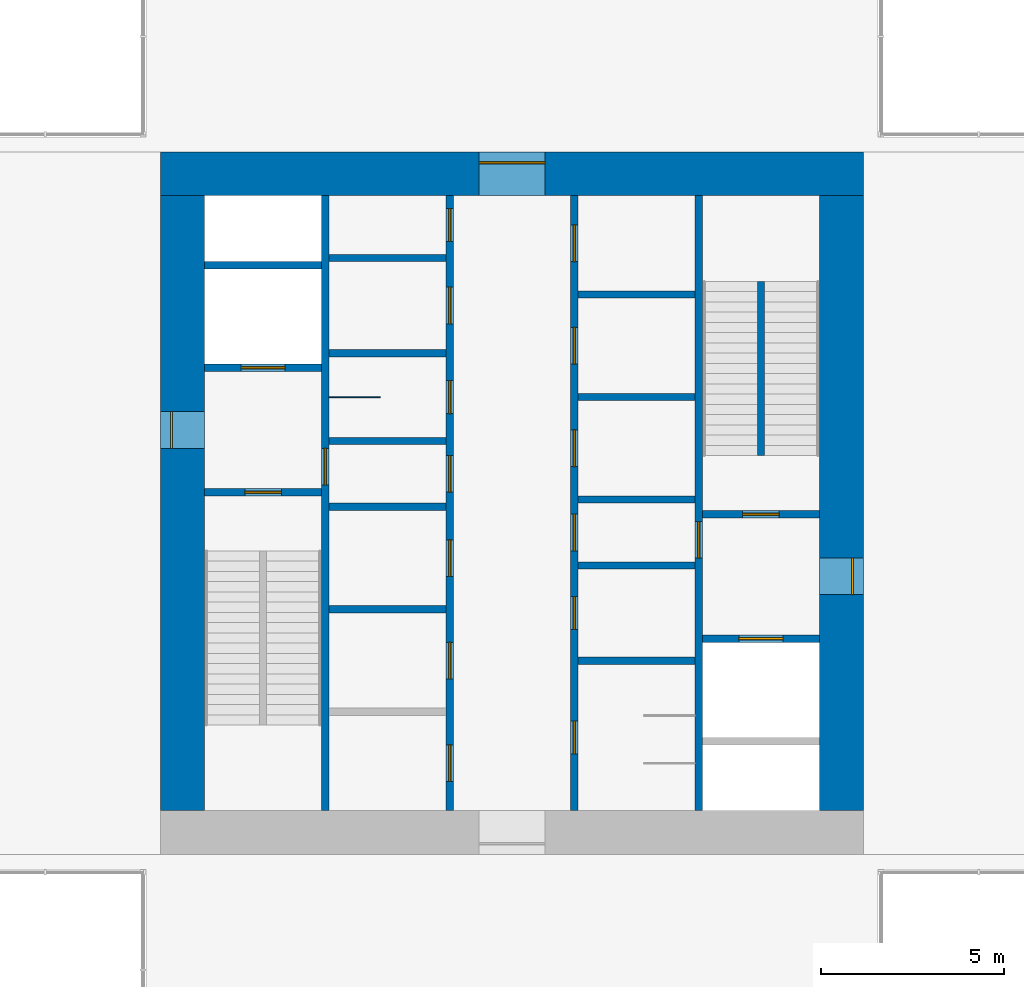
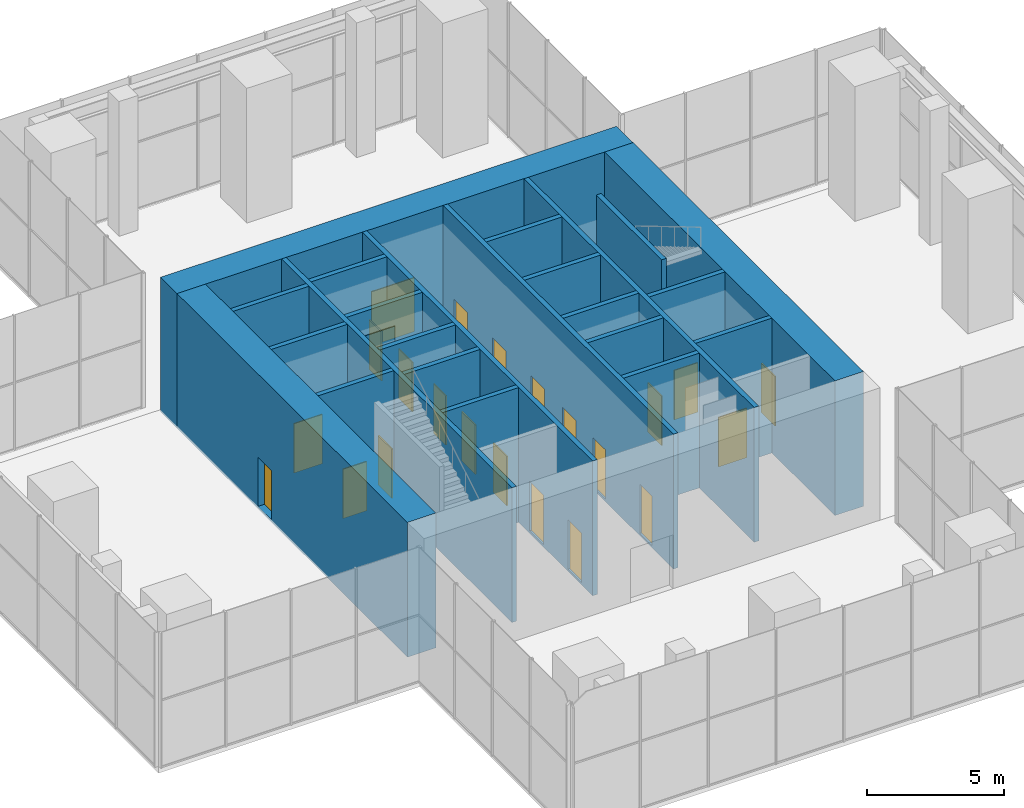
# One storey, part 9 of 11: 24 walls, 22 doors, 22 openings.
"""IFC4 building model written with IfcOpenShell, lengths in metres."""

import ifcopenshell
import ifcopenshell.guid

model = None  # the IFC model being written
_history = None  # IfcOwnerHistory: only IFC2X3 demands one
_inside = {}  # id of a spatial element -> (the spatial element, [elements in it])
_under = {}  # id of a project, library or spatial element -> (it, [spatial elements below it])
_declared = {}  # id of a project -> (the project, [libraries it declares])
_typed = {}  # id of a type object -> (the type object, [elements of that type])
_made_of = {}  # id of a material, layer set ... -> (it, [elements and type objects made of it])


def new_model(schema):
    """Start an empty IFC model of exactly this schema.

    Asked for "IFC4X3", IfcOpenShell would pick the latest addendum, in which some entities
    have other attributes; the version numbers below select the first issue.
    IFC2X3 requires an IfcOwnerHistory on every rooted entity: one is made here for all.
    """
    global model, _history
    if schema == "IFC4X3":
        model = ifcopenshell.file(schema_version=(4, 3, 0, 0))
    else:
        model = ifcopenshell.file(schema=schema)
    _inside.clear()
    _under.clear()
    _declared.clear()
    _typed.clear()
    _made_of.clear()
    _history = None
    if model.schema == "IFC2X3":
        org = make("IfcOrganization", Name="unknown")
        user = make(
            "IfcPersonAndOrganization",
            ThePerson=make("IfcPerson", FamilyName="unknown"),
            TheOrganization=org,
        )
        app = make(
            "IfcApplication",
            ApplicationDeveloper=org,
            Version="unknown",
            ApplicationFullName="unknown",
            ApplicationIdentifier="unknown",
        )
        _history = make(
            "IfcOwnerHistory",
            OwningUser=user,
            OwningApplication=app,
            ChangeAction="ADDED",
            CreationDate=0,
        )
    return model


def make(cls, **values):
    """One entity of the class cls with the attributes given. An attribute that is None is left unset."""
    return model.create_entity(
        cls, **{name: value for name, value in values.items() if value is not None}
    )


def rooted(cls, **values):
    """An entity with a GlobalId (a new one), such as an element, a storey or a relation."""
    return make(cls, GlobalId=ifcopenshell.guid.new(), OwnerHistory=_history, **values)


def si_unit(unit_type, name, prefix=None):
    """IfcSIUnit, for example si_unit("LENGTHUNIT", "METRE", prefix="MILLI")."""
    return make("IfcSIUnit", UnitType=unit_type, Prefix=prefix, Name=name)


def assignment(units):
    """IfcUnitAssignment: the units of a project."""
    return None if units is None else make("IfcUnitAssignment", Units=units)


def point(xyz):
    """IfcCartesianPoint."""
    return None if xyz is None else make("IfcCartesianPoint", Coordinates=xyz)


def direction(xyz):
    """IfcDirection."""
    return None if xyz is None else make("IfcDirection", DirectionRatios=xyz)


def frame(location, z_axis=None, x_axis=None):
    """IfcAxis2Placement3D, a coordinate frame: its origin and axes. An axis left out is left unset."""
    return make(
        "IfcAxis2Placement3D",
        Location=point(location),
        Axis=direction(z_axis),
        RefDirection=direction(x_axis),
    )


def frame_2d(location, x_axis=None):
    """IfcAxis2Placement2D, a coordinate frame in the plane: its origin and x axis."""
    return make(
        "IfcAxis2Placement2D", Location=point(location), RefDirection=direction(x_axis)
    )


def origin():
    """The frame at (0, 0, 0) with its axes left unset."""
    return frame((0.0, 0.0, 0.0))


def place(relative_to, where):
    """IfcLocalPlacement: puts the frame where relative to a parent placement (None: the world)."""
    return make(
        "IfcLocalPlacement", PlacementRelTo=relative_to, RelativePlacement=where
    )


def context(
    kind, dimensions, precision=None, world=None, true_north=None, identifier=None
):
    """IfcGeometricRepresentationContext, for example the 3D "Model" context."""
    return make(
        "IfcGeometricRepresentationContext",
        ContextIdentifier=identifier,
        ContextType=kind,
        CoordinateSpaceDimension=dimensions,
        Precision=precision,
        WorldCoordinateSystem=world,
        TrueNorth=true_north,
    )


def subcontext(parent, identifier, kind, view, scale=None):
    """IfcGeometricRepresentationSubContext, for example "Body" below "Model"."""
    return make(
        "IfcGeometricRepresentationSubContext",
        ContextIdentifier=identifier,
        ContextType=kind,
        ParentContext=parent,
        TargetScale=scale,
        TargetView=view,
    )


def project(units=None, contexts=None):
    """IfcProject with its units and contexts."""
    return rooted(
        "IfcProject",
        Name="project",
        RepresentationContexts=contexts,
        UnitsInContext=assignment(units),
    )


def spatial(cls, under=None, at=None, **own):
    """A site, building, storey or space (cls), placed at a placement, below another one or the project."""
    s = rooted(cls, ObjectPlacement=at, **own)
    if under is not None:
        _under.setdefault(under.id(), (under, []))[1].append(s)
    return s


def profile(cls, at=None, kind="AREA", **sizes):
    """A parametric profile (cls). Its sizes go by their IFC names, for example OverallWidth=200.0."""
    return make(cls, ProfileType=kind, Position=at, **sizes)


def rectangle(**sizes):
    """IfcRectangleProfileDef."""
    return profile("IfcRectangleProfileDef", **sizes)


def extrude(swept, where, along, depth):
    """IfcExtrudedAreaSolid: the profile swept, set in the frame where, extruded along a direction by depth."""
    return make(
        "IfcExtrudedAreaSolid",
        SweptArea=swept,
        Position=where,
        ExtrudedDirection=direction(along),
        Depth=depth,
    )


def shape(context_of_items, identifier, shape_type, items):
    """IfcShapeRepresentation: the items that make up one representation, for example the "Body"."""
    return make(
        "IfcShapeRepresentation",
        ContextOfItems=context_of_items,
        RepresentationIdentifier=identifier,
        RepresentationType=shape_type,
        Items=items,
    )


def material(Name=None, Category=None):
    """IfcMaterial."""
    return make("IfcMaterial", Name=Name, Category=Category)


def layer(
    of_material, thickness, ventilated=None, Name=None, Category=None, Priority=None
):
    """IfcMaterialLayer: one layer of a wall or slab, of a material (None: an air gap)."""
    return make(
        "IfcMaterialLayer",
        Material=of_material,
        LayerThickness=thickness,
        IsVentilated=ventilated,
        Name=Name,
        Category=Category,
        Priority=Priority,
    )


def layer_set(layers, Name=None):
    """IfcMaterialLayerSet."""
    return make("IfcMaterialLayerSet", MaterialLayers=layers, LayerSetName=Name)


def made_of(thing, what):
    """Note that an element or type object is made of a material, layer set ...; save() writes the relation."""
    if what is not None:
        _made_of.setdefault(what.id(), (what, []))[1].append(thing)
    return thing


def type_object(cls, material=None, **own):
    """A type object (cls), such as IfcWallType, which elements share."""
    return made_of(rooted(cls, **own), material)


def element(
    cls,
    number,
    at=None,
    inside=None,
    cuts=None,
    type_object=None,
    material=None,
    context=None,
    identifier="Body",
    shape_type=None,
    held_by="IfcProductDefinitionShape",
    body=None,
    shapes=None,
    **own,
):
    """One element of the class cls, such as IfcWall. Its Tag is "e" and its number.

    at: its placement. inside: the storey or other place that contains it. cuts: it is an
    opening in that element (IfcRelVoidsElement). A single representation is given by context,
    identifier, shape_type and body (its items); several are given by shapes. held_by: the class
    of the entity that holds the representations. save() writes the other relations.
    """
    e = rooted(cls, Tag="e%d" % number, ObjectPlacement=at, **own)
    if body is not None:
        shapes = [shape(context, identifier, shape_type, body)]
    if shapes is not None:
        e.Representation = make(held_by, Representations=shapes)
    if inside is not None:
        _inside.setdefault(inside.id(), (inside, []))[1].append(e)
    if cuts is not None:
        rooted(
            "IfcRelVoidsElement", RelatingBuildingElement=cuts, RelatedOpeningElement=e
        )
    if type_object is not None:
        _typed.setdefault(type_object.id(), (type_object, []))[1].append(e)
    return made_of(e, material)


def fill(opening, filler):
    """IfcRelFillsElement: the door or window that sits in an opening."""
    return rooted(
        "IfcRelFillsElement",
        RelatingOpeningElement=opening,
        RelatedBuildingElement=filler,
    )


def aggregate(whole, parts):
    """IfcRelAggregates: a whole, such as a stair, and the parts it consists of."""
    return rooted("IfcRelAggregates", RelatingObject=whole, RelatedObjects=parts)


def save(model, path):
    """Write the relations noted so far, then the file.

    IfcRelAggregates (storeys below a building ...), IfcRelContainedInSpatialStructure (elements
    in a storey), IfcRelDefinesByType, IfcRelAssociatesMaterial and IfcRelDeclares: one each for
    every whole, place, type object, material and project.
    """
    for whole, parts in _under.values():
        aggregate(whole, parts)
    for where, things in _inside.values():
        rooted(
            "IfcRelContainedInSpatialStructure",
            RelatedElements=things,
            RelatingStructure=where,
        )
    for kind, things in _typed.values():
        rooted("IfcRelDefinesByType", RelatedObjects=things, RelatingType=kind)
    for what, things in _made_of.values():
        rooted("IfcRelAssociatesMaterial", RelatedObjects=things, RelatingMaterial=what)
    for by, libraries in _declared.values():
        rooted("IfcRelDeclares", RelatingContext=by, RelatedDefinitions=libraries)
    model.write(path)


model = new_model("IFC4")

# Units and contexts
model_context = context("Model", 3, precision=1e-05, world=origin(), true_north=direction((0.0, 1.0)))
body_context = subcontext(model_context, "Body", "Model", "MODEL_VIEW")
ifc_project = project(units=[si_unit("LENGTHUNIT", "METRE"), si_unit("AREAUNIT", "SQUARE_METRE"), si_unit("VOLUMEUNIT", "CUBIC_METRE"), si_unit("PLANEANGLEUNIT", "RADIAN"), si_unit("MASSUNIT", "GRAM", prefix="KILO")], contexts=[model_context])

# Site, building, storey
site_placement = place(None, origin())
site = spatial("IfcSite", under=ifc_project, at=site_placement, CompositionType="ELEMENT")
building_placement = place(site_placement, origin())
building = spatial("IfcBuilding", under=site, at=building_placement, Name="Svetlomir Tower", CompositionType="ELEMENT")
storey_placement = place(building_placement, frame((0.0, 0.0, 277.89990234375)))
storey = spatial("IfcBuildingStorey", under=building, at=storey_placement, Name="L66", CompositionType="ELEMENT", Elevation=277.89990234375)

# Wall, opening, door
ifc_material_1 = material(Name="Concrete C60/75", Category="concrete")
ifc_layer_1 = layer(ifc_material_1, 0.199951171875)
ifc_layer_set_1 = layer_set([ifc_layer_1], Name="Concrete C60/75")
wall_type_1 = type_object("IfcWallType", Name="CORE INNER WALL 200", PredefinedType="SHEAR", material=ifc_layer_set_1)
wall_1_placement = place(storey_placement, frame((15.89990234375, 12.60009765625, -0.099853515625), z_axis=(0.0, 0.0, 1.0), x_axis=(0.0, 1.0, 0.0)))
wall_1 = element("IfcWall", 1, at=wall_1_placement, inside=storey, type_object=wall_type_1, Name="Core inner wall 15.9 L66", PredefinedType="SHEAR", context=body_context, shape_type="SweptSolid", body=[
    extrude(rectangle(XDim=16.7998046875, YDim=0.199951171875, at=frame_2d((8.39990234375, 0.0))), origin(), (0.0, 0.0, 1.0), 6.0),
])
opening_1_placement = place(wall_1_placement, frame((8.89990234375, 0.0, 0.10009765625)))
opening_1 = element("IfcOpeningElement", 2, at=opening_1_placement, cuts=wall_1, Name="Opening DF", PredefinedType="OPENING", context=body_context, shape_type="SweptSolid", body=[
    extrude(rectangle(XDim=1.0, YDim=2.199951171875, at=frame_2d((0.5, 1.10009765625))), frame((0.0, 0.10986328125, 0.0), z_axis=(0.0, -1.0, 0.0), x_axis=(1.0, 0.0, 0.0)), (0.0, 0.0, 1.0), 0.219970703125),
])
ifc_material_2 = material(Name="Steel fire door", Category="steel")
door_type_1 = type_object("IfcDoorType", Name="DOOR DF 1000x2200", OperationType="SINGLE_SWING_LEFT", PredefinedType="DOOR", material=ifc_material_2)
door_1_placement = place(opening_1_placement, origin())
door_1 = element("IfcDoor", 3, at=door_1_placement, inside=storey, type_object=door_type_1, Name="Core corridor west door L66", OperationType="SINGLE_SWING_LEFT", OverallHeight=2.199951171875, OverallWidth=1.0, PredefinedType="DOOR", context=body_context, shape_type="SweptSolid", body=[
    extrude(rectangle(XDim=1.0, YDim=2.199951171875, at=frame_2d((0.5, 1.10009765625))), frame((0.0, 0.02490234375, 0.0), z_axis=(0.0, -1.0, 0.0), x_axis=(1.0, 0.0, 0.0)), (0.0, 0.0, 1.0), 0.050048828125),
])
fill(opening_1, door_1)

# Wall, openings, doors
wall_2_placement = place(storey_placement, frame((19.300048828125, 12.60009765625, -0.099853515625), z_axis=(0.0, 0.0, 1.0), x_axis=(0.0, 1.0, 0.0)))
wall_2 = element("IfcWall", 4, at=wall_2_placement, inside=storey, type_object=wall_type_1, Name="Core inner wall 19.3 L66", PredefinedType="SHEAR", context=body_context, shape_type="SweptSolid", body=[
    extrude(rectangle(XDim=16.7998046875, YDim=0.199951171875, at=frame_2d((8.39990234375, 0.0))), origin(), (0.0, 0.0, 1.0), 6.0),
])
opening_2_placement = place(wall_2_placement, frame((8.699951171875, 0.0, 0.10009765625)))
opening_2 = element("IfcOpeningElement", 5, at=opening_2_placement, cuts=wall_2, Name="Opening DC", PredefinedType="OPENING", context=body_context, shape_type="SweptSolid", body=[
    extrude(rectangle(XDim=1.0, YDim=2.199951171875, at=frame_2d((0.5, 1.10009765625))), frame((0.0, 0.10986328125, 0.0), z_axis=(0.0, -1.0, 0.0), x_axis=(1.0, 0.0, 0.0)), (0.0, 0.0, 1.0), 0.219970703125),
])
opening_3_placement = place(wall_2_placement, frame((10.85009765625, 0.0, 0.10009765625)))
opening_3 = element("IfcOpeningElement", 6, at=opening_3_placement, cuts=wall_2, Name="Opening DW", PredefinedType="OPENING", context=body_context, shape_type="SweptSolid", body=[
    extrude(rectangle(XDim=0.89990234375, YDim=2.199951171875, at=frame_2d((0.449951171875, 1.10009765625))), frame((0.0, 0.10986328125, 0.0), z_axis=(0.0, -1.0, 0.0), x_axis=(1.0, 0.0, 0.0)), (0.0, 0.0, 1.0), 0.219970703125),
])
opening_4_placement = place(wall_2_placement, frame((13.300048828125, 0.0, 0.10009765625)))
opening_4 = element("IfcOpeningElement", 7, at=opening_4_placement, cuts=wall_2, Name="Opening DC", PredefinedType="OPENING", context=body_context, shape_type="SweptSolid", body=[
    extrude(rectangle(XDim=1.0, YDim=2.199951171875, at=frame_2d((0.5, 1.10009765625))), frame((0.0, 0.10986328125, 0.0), z_axis=(0.0, -1.0, 0.0), x_axis=(1.0, 0.0, 0.0)), (0.0, 0.0, 1.0), 0.219970703125),
])
opening_5_placement = place(wall_2_placement, frame((15.550048828125, 0.0, 0.10009765625)))
opening_5 = element("IfcOpeningElement", 8, at=opening_5_placement, cuts=wall_2, Name="Opening DW", PredefinedType="OPENING", context=body_context, shape_type="SweptSolid", body=[
    extrude(rectangle(XDim=0.89990234375, YDim=2.199951171875, at=frame_2d((0.449951171875, 1.10009765625))), frame((0.0, 0.10986328125, 0.0), z_axis=(0.0, -1.0, 0.0), x_axis=(1.0, 0.0, 0.0)), (0.0, 0.0, 1.0), 0.219970703125),
])
opening_6_placement = place(wall_2_placement, frame((0.800048828125, 0.0, 0.10009765625)))
opening_6 = element("IfcOpeningElement", 9, at=opening_6_placement, cuts=wall_2, Name="Opening DC", PredefinedType="OPENING", context=body_context, shape_type="SweptSolid", body=[
    extrude(rectangle(XDim=1.0, YDim=2.199951171875, at=frame_2d((0.5, 1.10009765625))), frame((0.0, 0.10986328125, 0.0), z_axis=(0.0, -1.0, 0.0), x_axis=(1.0, 0.0, 0.0)), (0.0, 0.0, 1.0), 0.219970703125),
])
opening_7_placement = place(wall_2_placement, frame((3.60009765625, 0.0, 0.10009765625)))
opening_7 = element("IfcOpeningElement", 10, at=opening_7_placement, cuts=wall_2, Name="Opening DC", PredefinedType="OPENING", context=body_context, shape_type="SweptSolid", body=[
    extrude(rectangle(XDim=1.0, YDim=2.199951171875, at=frame_2d((0.5, 1.10009765625))), frame((0.0, 0.10986328125, 0.0), z_axis=(0.0, -1.0, 0.0), x_axis=(1.0, 0.0, 0.0)), (0.0, 0.0, 1.0), 0.219970703125),
])
opening_8_placement = place(wall_2_placement, frame((6.39990234375, 0.0, 0.10009765625)))
opening_8 = element("IfcOpeningElement", 11, at=opening_8_placement, cuts=wall_2, Name="Opening DC", PredefinedType="OPENING", context=body_context, shape_type="SweptSolid", body=[
    extrude(rectangle(XDim=1.0, YDim=2.199951171875, at=frame_2d((0.5, 1.10009765625))), frame((0.0, 0.10986328125, 0.0), z_axis=(0.0, -1.0, 0.0), x_axis=(1.0, 0.0, 0.0)), (0.0, 0.0, 1.0), 0.219970703125),
])
ifc_material_3 = material(Name="Timber fire door", Category="wood")
door_type_2 = type_object("IfcDoorType", Name="DOOR DC 1000x2200", OperationType="SINGLE_SWING_LEFT", PredefinedType="DOOR", material=ifc_material_3)
door_2_placement = place(opening_2_placement, origin())
door_2 = element("IfcDoor", 12, at=door_2_placement, inside=storey, type_object=door_type_2, Name="Core corridor west lobby door L66", OperationType="SINGLE_SWING_LEFT", OverallHeight=2.199951171875, OverallWidth=1.0, PredefinedType="DOOR", context=body_context, shape_type="SweptSolid", body=[
    extrude(rectangle(XDim=1.0, YDim=2.199951171875, at=frame_2d((0.5, 1.10009765625))), frame((0.0, 0.02490234375, 0.0), z_axis=(0.0, -1.0, 0.0), x_axis=(1.0, 0.0, 0.0)), (0.0, 0.0, 1.0), 0.050048828125),
])
fill(opening_2, door_2)
door_3_placement = place(opening_4_placement, origin())
door_3 = element("IfcDoor", 13, at=door_3_placement, inside=storey, type_object=door_type_2, Name="Accessible WC door L66", OperationType="SINGLE_SWING_RIGHT", OverallHeight=2.199951171875, OverallWidth=1.0, PredefinedType="DOOR", context=body_context, shape_type="SweptSolid", body=[
    extrude(rectangle(XDim=1.0, YDim=2.199951171875, at=frame_2d((0.5, 1.10009765625))), frame((0.0, 0.02490234375, 0.0), z_axis=(0.0, -1.0, 0.0), x_axis=(1.0, 0.0, 0.0)), (0.0, 0.0, 1.0), 0.050048828125),
])
fill(opening_4, door_3)
door_4_placement = place(opening_6_placement, origin())
door_4 = element("IfcDoor", 14, at=door_4_placement, inside=storey, type_object=door_type_2, Name="Converted shaft BANK-W1 room door L66", OperationType="SINGLE_SWING_RIGHT", OverallHeight=2.199951171875, OverallWidth=1.0, PredefinedType="DOOR", context=body_context, shape_type="SweptSolid", body=[
    extrude(rectangle(XDim=1.0, YDim=2.199951171875, at=frame_2d((0.5, 1.10009765625))), frame((0.0, 0.02490234375, 0.0), z_axis=(0.0, -1.0, 0.0), x_axis=(1.0, 0.0, 0.0)), (0.0, 0.0, 1.0), 0.050048828125),
])
fill(opening_6, door_4)
door_5_placement = place(opening_7_placement, origin())
door_5 = element("IfcDoor", 15, at=door_5_placement, inside=storey, type_object=door_type_2, Name="Converted shaft BANK-W2 room door L66", OperationType="SINGLE_SWING_LEFT", OverallHeight=2.199951171875, OverallWidth=1.0, PredefinedType="DOOR", context=body_context, shape_type="SweptSolid", body=[
    extrude(rectangle(XDim=1.0, YDim=2.199951171875, at=frame_2d((0.5, 1.10009765625))), frame((0.0, 0.02490234375, 0.0), z_axis=(0.0, -1.0, 0.0), x_axis=(1.0, 0.0, 0.0)), (0.0, 0.0, 1.0), 0.050048828125),
])
fill(opening_7, door_5)
door_6_placement = place(opening_8_placement, origin())
door_6 = element("IfcDoor", 16, at=door_6_placement, inside=storey, type_object=door_type_2, Name="Converted shaft BANK-W3 room door L66", OperationType="SINGLE_SWING_RIGHT", OverallHeight=2.199951171875, OverallWidth=1.0, PredefinedType="DOOR", context=body_context, shape_type="SweptSolid", body=[
    extrude(rectangle(XDim=1.0, YDim=2.199951171875, at=frame_2d((0.5, 1.10009765625))), frame((0.0, 0.02490234375, 0.0), z_axis=(0.0, -1.0, 0.0), x_axis=(1.0, 0.0, 0.0)), (0.0, 0.0, 1.0), 0.050048828125),
])
fill(opening_8, door_6)
ifc_material_4 = material(Name="Timber fire door", Category="wood")
door_type_3 = type_object("IfcDoorType", Name="DOOR DW 900x2200", OperationType="SINGLE_SWING_LEFT", PredefinedType="DOOR", material=ifc_material_4)
door_7_placement = place(opening_3_placement, origin())
door_7 = element("IfcDoor", 17, at=door_7_placement, inside=storey, type_object=door_type_3, Name="Female WC door L66", OperationType="SINGLE_SWING_LEFT", OverallHeight=2.199951171875, OverallWidth=0.89990234375, PredefinedType="DOOR", context=body_context, shape_type="SweptSolid", body=[
    extrude(rectangle(XDim=0.89990234375, YDim=2.199951171875, at=frame_2d((0.449951171875, 1.10009765625))), frame((0.0, 0.02490234375, 0.0), z_axis=(0.0, -1.0, 0.0), x_axis=(1.0, 0.0, 0.0)), (0.0, 0.0, 1.0), 0.050048828125),
])
fill(opening_3, door_7)
door_8_placement = place(opening_5_placement, origin())
door_8 = element("IfcDoor", 18, at=door_8_placement, inside=storey, type_object=door_type_3, Name="Cleaner's store door L66", OperationType="SINGLE_SWING_LEFT", OverallHeight=2.199951171875, OverallWidth=0.89990234375, PredefinedType="DOOR", context=body_context, shape_type="SweptSolid", body=[
    extrude(rectangle(XDim=0.89990234375, YDim=2.199951171875, at=frame_2d((0.449951171875, 1.10009765625))), frame((0.0, 0.02490234375, 0.0), z_axis=(0.0, -1.0, 0.0), x_axis=(1.0, 0.0, 0.0)), (0.0, 0.0, 1.0), 0.050048828125),
])
fill(opening_5, door_8)

wall_3_placement = place(storey_placement, frame((22.699951171875, 12.60009765625, -0.099853515625), z_axis=(0.0, 0.0, 1.0), x_axis=(0.0, 1.0, 0.0)))
wall_3 = element("IfcWall", 19, at=wall_3_placement, inside=storey, type_object=wall_type_1, Name="Core inner wall 22.7 L66", PredefinedType="SHEAR", context=body_context, shape_type="SweptSolid", body=[
    extrude(rectangle(XDim=16.7998046875, YDim=0.199951171875, at=frame_2d((8.39990234375, 0.0))), origin(), (0.0, 0.0, 1.0), 6.0),
])
opening_9_placement = place(wall_3_placement, frame((7.10009765625, 0.0, 0.10009765625)))
opening_9 = element("IfcOpeningElement", 20, at=opening_9_placement, cuts=wall_3, Name="Opening DC", PredefinedType="OPENING", context=body_context, shape_type="SweptSolid", body=[
    extrude(rectangle(XDim=1.0, YDim=2.199951171875, at=frame_2d((0.5, 1.10009765625))), frame((0.0, 0.10986328125, 0.0), z_axis=(0.0, -1.0, 0.0), x_axis=(1.0, 0.0, 0.0)), (0.0, 0.0, 1.0), 0.219970703125),
])
opening_10_placement = place(wall_3_placement, frame((1.550048828125, 0.0, 0.10009765625)))
opening_10 = element("IfcOpeningElement", 21, at=opening_10_placement, cuts=wall_3, Name="Opening DW", PredefinedType="OPENING", context=body_context, shape_type="SweptSolid", body=[
    extrude(rectangle(XDim=0.89990234375, YDim=2.199951171875, at=frame_2d((0.449951171875, 1.10009765625))), frame((0.0, 0.10986328125, 0.0), z_axis=(0.0, -1.0, 0.0), x_axis=(1.0, 0.0, 0.0)), (0.0, 0.0, 1.0), 0.219970703125),
])
opening_11_placement = place(wall_3_placement, frame((4.949951171875, 0.0, 0.10009765625)))
opening_11 = element("IfcOpeningElement", 22, at=opening_11_placement, cuts=wall_3, Name="Opening DW", PredefinedType="OPENING", context=body_context, shape_type="SweptSolid", body=[
    extrude(rectangle(XDim=0.89990234375, YDim=2.199951171875, at=frame_2d((0.449951171875, 1.10009765625))), frame((0.0, 0.10986328125, 0.0), z_axis=(0.0, -1.0, 0.0), x_axis=(1.0, 0.0, 0.0)), (0.0, 0.0, 1.0), 0.219970703125),
])
opening_12_placement = place(wall_3_placement, frame((9.39990234375, 0.0, 0.10009765625)))
opening_12 = element("IfcOpeningElement", 23, at=opening_12_placement, cuts=wall_3, Name="Opening DC", PredefinedType="OPENING", context=body_context, shape_type="SweptSolid", body=[
    extrude(rectangle(XDim=1.0, YDim=2.199951171875, at=frame_2d((0.5, 1.10009765625))), frame((0.0, 0.10986328125, 0.0), z_axis=(0.0, -1.0, 0.0), x_axis=(1.0, 0.0, 0.0)), (0.0, 0.0, 1.0), 0.219970703125),
])
opening_13_placement = place(wall_3_placement, frame((12.199951171875, 0.0, 0.10009765625)))
opening_13 = element("IfcOpeningElement", 24, at=opening_13_placement, cuts=wall_3, Name="Opening DC", PredefinedType="OPENING", context=body_context, shape_type="SweptSolid", body=[
    extrude(rectangle(XDim=1.0, YDim=2.199951171875, at=frame_2d((0.5, 1.10009765625))), frame((0.0, 0.10986328125, 0.0), z_axis=(0.0, -1.0, 0.0), x_axis=(1.0, 0.0, 0.0)), (0.0, 0.0, 1.0), 0.219970703125),
])
opening_14_placement = place(wall_3_placement, frame((15.0, 0.0, 0.10009765625)))
opening_14 = element("IfcOpeningElement", 25, at=opening_14_placement, cuts=wall_3, Name="Opening DC", PredefinedType="OPENING", context=body_context, shape_type="SweptSolid", body=[
    extrude(rectangle(XDim=1.0, YDim=2.199951171875, at=frame_2d((0.5, 1.10009765625))), frame((0.0, 0.10986328125, 0.0), z_axis=(0.0, -1.0, 0.0), x_axis=(1.0, 0.0, 0.0)), (0.0, 0.0, 1.0), 0.219970703125),
])
door_9_placement = place(opening_9_placement, origin())
door_9 = element("IfcDoor", 26, at=door_9_placement, inside=storey, type_object=door_type_2, Name="Core corridor east lobby door L66", OperationType="SINGLE_SWING_RIGHT", OverallHeight=2.199951171875, OverallWidth=1.0, PredefinedType="DOOR", context=body_context, shape_type="SweptSolid", body=[
    extrude(rectangle(XDim=1.0, YDim=2.199951171875, at=frame_2d((0.5, 1.10009765625))), frame((0.0, 0.02490234375, 0.0), z_axis=(0.0, -1.0, 0.0), x_axis=(1.0, 0.0, 0.0)), (0.0, 0.0, 1.0), 0.050048828125),
])
fill(opening_9, door_9)
door_10_placement = place(opening_12_placement, origin())
door_10 = element("IfcDoor", 27, at=door_10_placement, inside=storey, type_object=door_type_2, Name="Converted shaft BANK-E1 room door L66", OperationType="SINGLE_SWING_LEFT", OverallHeight=2.199951171875, OverallWidth=1.0, PredefinedType="DOOR", context=body_context, shape_type="SweptSolid", body=[
    extrude(rectangle(XDim=1.0, YDim=2.199951171875, at=frame_2d((0.5, 1.10009765625))), frame((0.0, 0.02490234375, 0.0), z_axis=(0.0, -1.0, 0.0), x_axis=(1.0, 0.0, 0.0)), (0.0, 0.0, 1.0), 0.050048828125),
])
fill(opening_12, door_10)
door_11_placement = place(opening_13_placement, origin())
door_11 = element("IfcDoor", 28, at=door_11_placement, inside=storey, type_object=door_type_2, Name="Converted shaft BANK-E2 room door L66", OperationType="SINGLE_SWING_RIGHT", OverallHeight=2.199951171875, OverallWidth=1.0, PredefinedType="DOOR", context=body_context, shape_type="SweptSolid", body=[
    extrude(rectangle(XDim=1.0, YDim=2.199951171875, at=frame_2d((0.5, 1.10009765625))), frame((0.0, 0.02490234375, 0.0), z_axis=(0.0, -1.0, 0.0), x_axis=(1.0, 0.0, 0.0)), (0.0, 0.0, 1.0), 0.050048828125),
])
fill(opening_13, door_11)
door_12_placement = place(opening_14_placement, origin())
door_12 = element("IfcDoor", 29, at=door_12_placement, inside=storey, type_object=door_type_2, Name="Converted shaft BANK-E3 room door L66", OperationType="SINGLE_SWING_LEFT", OverallHeight=2.199951171875, OverallWidth=1.0, PredefinedType="DOOR", context=body_context, shape_type="SweptSolid", body=[
    extrude(rectangle(XDim=1.0, YDim=2.199951171875, at=frame_2d((0.5, 1.10009765625))), frame((0.0, 0.02490234375, 0.0), z_axis=(0.0, -1.0, 0.0), x_axis=(1.0, 0.0, 0.0)), (0.0, 0.0, 1.0), 0.050048828125),
])
fill(opening_14, door_12)
door_13_placement = place(opening_10_placement, origin())
door_13 = element("IfcDoor", 30, at=door_13_placement, inside=storey, type_object=door_type_3, Name="Male WC door L66", OperationType="SINGLE_SWING_RIGHT", OverallHeight=2.199951171875, OverallWidth=0.89990234375, PredefinedType="DOOR", context=body_context, shape_type="SweptSolid", body=[
    extrude(rectangle(XDim=0.89990234375, YDim=2.199951171875, at=frame_2d((0.449951171875, 1.10009765625))), frame((0.0, 0.02490234375, 0.0), z_axis=(0.0, -1.0, 0.0), x_axis=(1.0, 0.0, 0.0)), (0.0, 0.0, 1.0), 0.050048828125),
])
fill(opening_10, door_13)
door_14_placement = place(opening_11_placement, origin())
door_14 = element("IfcDoor", 31, at=door_14_placement, inside=storey, type_object=door_type_3, Name="Comms room door L66", OperationType="SINGLE_SWING_LEFT", OverallHeight=2.199951171875, OverallWidth=0.89990234375, PredefinedType="DOOR", context=body_context, shape_type="SweptSolid", body=[
    extrude(rectangle(XDim=0.89990234375, YDim=2.199951171875, at=frame_2d((0.449951171875, 1.10009765625))), frame((0.0, 0.02490234375, 0.0), z_axis=(0.0, -1.0, 0.0), x_axis=(1.0, 0.0, 0.0)), (0.0, 0.0, 1.0), 0.050048828125),
])
fill(opening_11, door_14)

# Wall, opening, door
wall_4_placement = place(storey_placement, frame((26.10009765625, 12.60009765625, -0.099853515625), z_axis=(0.0, 0.0, 1.0), x_axis=(0.0, 1.0, 0.0)))
wall_4 = element("IfcWall", 32, at=wall_4_placement, inside=storey, type_object=wall_type_1, Name="Core inner wall 26.1 L66", PredefinedType="SHEAR", context=body_context, shape_type="SweptSolid", body=[
    extrude(rectangle(XDim=16.7998046875, YDim=0.199951171875, at=frame_2d((8.39990234375, 0.0))), origin(), (0.0, 0.0, 1.0), 6.0),
])
opening_15_placement = place(wall_4_placement, frame((6.89990234375, 0.0, 0.10009765625)))
opening_15 = element("IfcOpeningElement", 33, at=opening_15_placement, cuts=wall_4, Name="Opening DF", PredefinedType="OPENING", context=body_context, shape_type="SweptSolid", body=[
    extrude(rectangle(XDim=1.0, YDim=2.199951171875, at=frame_2d((0.5, 1.10009765625))), frame((0.0, 0.10986328125, 0.0), z_axis=(0.0, -1.0, 0.0), x_axis=(1.0, 0.0, 0.0)), (0.0, 0.0, 1.0), 0.219970703125),
])
door_15_placement = place(opening_15_placement, origin())
door_15 = element("IfcDoor", 34, at=door_15_placement, inside=storey, type_object=door_type_1, Name="Core corridor east door L66", OperationType="SINGLE_SWING_LEFT", OverallHeight=2.199951171875, OverallWidth=1.0, PredefinedType="DOOR", context=body_context, shape_type="SweptSolid", body=[
    extrude(rectangle(XDim=1.0, YDim=2.199951171875, at=frame_2d((0.5, 1.10009765625))), frame((0.0, 0.02490234375, 0.0), z_axis=(0.0, -1.0, 0.0), x_axis=(1.0, 0.0, 0.0)), (0.0, 0.0, 1.0), 0.050048828125),
])
fill(opening_15, door_15)

wall_5_placement = place(storey_placement, frame((12.60009765625, 21.300048828125, -0.099853515625), z_axis=(0.0, 0.0, 1.0), x_axis=(1.0, 0.0, 0.0)))
wall_5 = element("IfcWall", 35, at=wall_5_placement, inside=storey, type_object=wall_type_1, Name="Core inner wall 12.6-15.8/21.3 L66", PredefinedType="SHEAR", context=body_context, shape_type="SweptSolid", body=[
    extrude(rectangle(XDim=3.199951171875, YDim=0.199951171875, at=frame_2d((1.60009765625, 0.0))), origin(), (0.0, 0.0, 1.0), 6.0),
])
opening_16_placement = place(wall_5_placement, frame((1.10009765625, 0.0, 0.10009765625)))
opening_16 = element("IfcOpeningElement", 36, at=opening_16_placement, cuts=wall_5, Name="Opening DF", PredefinedType="OPENING", context=body_context, shape_type="SweptSolid", body=[
    extrude(rectangle(XDim=1.0, YDim=2.199951171875, at=frame_2d((0.5, 1.10009765625))), frame((0.0, 0.10986328125, 0.0), z_axis=(0.0, -1.0, 0.0), x_axis=(1.0, 0.0, 0.0)), (0.0, 0.0, 1.0), 0.219970703125),
])
door_16_placement = place(opening_16_placement, origin())
door_16 = element("IfcDoor", 37, at=door_16_placement, inside=storey, type_object=door_type_1, Name="Stair S1 door L66", OperationType="SINGLE_SWING_LEFT", OverallHeight=2.199951171875, OverallWidth=1.0, PredefinedType="DOOR", context=body_context, shape_type="SweptSolid", body=[
    extrude(rectangle(XDim=1.0, YDim=2.199951171875, at=frame_2d((0.5, 1.10009765625))), frame((0.0, 0.02490234375, 0.0), z_axis=(0.0, -1.0, 0.0), x_axis=(1.0, 0.0, 0.0)), (0.0, 0.0, 1.0), 0.050048828125),
])
fill(opening_16, door_16)

wall_6_placement = place(storey_placement, frame((12.60009765625, 24.699951171875, -0.099853515625), z_axis=(0.0, 0.0, 1.0), x_axis=(1.0, 0.0, 0.0)))
wall_6 = element("IfcWall", 38, at=wall_6_placement, inside=storey, type_object=wall_type_1, Name="Core inner wall 12.6-15.8/24.7 L66", PredefinedType="SHEAR", context=body_context, shape_type="SweptSolid", body=[
    extrude(rectangle(XDim=3.199951171875, YDim=0.199951171875, at=frame_2d((1.60009765625, 0.0))), origin(), (0.0, 0.0, 1.0), 6.0),
])
opening_17_placement = place(wall_6_placement, frame((1.0, 0.0, 0.10009765625)))
opening_17 = element("IfcOpeningElement", 39, at=opening_17_placement, cuts=wall_6, Name="Opening LD3", PredefinedType="OPENING", context=body_context, shape_type="SweptSolid", body=[
    extrude(rectangle(XDim=1.199951171875, YDim=2.199951171875, at=frame_2d((0.60009765625, 1.10009765625))), frame((0.0, 0.10986328125, 0.0), z_axis=(0.0, -1.0, 0.0), x_axis=(1.0, 0.0, 0.0)), (0.0, 0.0, 1.0), 0.219970703125),
])
ifc_material_5 = material(Name="Stainless steel fire-rated landing door", Category="steel")
door_type_4 = type_object("IfcDoorType", Name="FIREFIGHTING LIFT LANDING DOOR LD3 1200x2200", OperationType="DOUBLE_DOOR_SLIDING", PredefinedType="DOOR", material=ifc_material_5)
door_17_placement = place(opening_17_placement, origin())
door_17 = element("IfcDoor", 40, at=door_17_placement, inside=storey, type_object=door_type_4, Name="Landing door lift FL1 L66", OperationType="DOUBLE_DOOR_SLIDING", OverallHeight=2.199951171875, OverallWidth=1.199951171875, PredefinedType="DOOR", context=body_context, shape_type="SweptSolid", body=[
    extrude(rectangle(XDim=1.199951171875, YDim=2.199951171875, at=frame_2d((0.60009765625, 1.10009765625))), frame((0.0, 0.02490234375, 0.0), z_axis=(0.0, -1.0, 0.0), x_axis=(1.0, 0.0, 0.0)), (0.0, 0.0, 1.0), 0.050048828125),
])
fill(opening_17, door_17)

# Walls
for number, where, z_axis, x_axis, name in (
    (41, (12.60009765625, 27.5, -0.099853515625), (0.0, 0.0, 1.0), (1.0, 0.0, 0.0), "Core inner wall 12.6-15.8/27.5 L66"),
    (42, (16.0, 18.10009765625, -0.099853515625), (0.0, 0.0, 1.0), (1.0, 0.0, 0.0), "Core inner wall 16-19.2/18.1 L66"),
    (43, (16.0, 20.89990234375, -0.099853515625), (0.0, 0.0, 1.0), (1.0, 0.0, 0.0), "Core inner wall 16-19.2/20.9 L66"),
    (44, (16.0, 22.699951171875, -0.099853515625), (0.0, 0.0, 1.0), (1.0, 0.0, 0.0), "Core inner wall 16-19.2/22.7 L66"),
    (45, (16.0, 25.10009765625, -0.099853515625), (0.0, 0.0, 1.0), (1.0, 0.0, 0.0), "Core inner wall 16-19.2/25.1 L66"),
    (46, (16.0, 27.699951171875, -0.099853515625), (0.0, 0.0, 1.0), (1.0, 0.0, 0.0), "Core inner wall 16-19.2/27.7 L66"),
    (47, (22.800048828125, 16.699951171875, -0.099853515625), (0.0, 0.0, 1.0), (1.0, 0.0, 0.0), "Core inner wall 22.8-26/16.7 L66"),
    (48, (22.800048828125, 19.300048828125, -0.099853515625), (0.0, 0.0, 1.0), (1.0, 0.0, 0.0), "Core inner wall 22.8-26/19.3 L66"),
    (49, (22.800048828125, 21.10009765625, -0.099853515625), (0.0, 0.0, 1.0), (1.0, 0.0, 0.0), "Core inner wall 22.8-26/21.1 L66"),
    (50, (22.800048828125, 23.89990234375, -0.099853515625), (0.0, 0.0, 1.0), (1.0, 0.0, 0.0), "Core inner wall 22.8-26/23.9 L66"),
    (51, (22.800048828125, 26.699951171875, -0.099853515625), (0.0, 0.0, 1.0), (1.0, 0.0, 0.0), "Core inner wall 22.8-26/26.7 L66"),
):
    element("IfcWall", number, at=place(storey_placement, frame(where, z_axis=z_axis, x_axis=x_axis)), inside=storey, type_object=wall_type_1, Name=name, PredefinedType="SHEAR", context=body_context, shape_type="SweptSolid", body=[
        extrude(rectangle(XDim=3.199951171875, YDim=0.199951171875, at=frame_2d((1.60009765625, 0.0))), origin(), (0.0, 0.0, 1.0), 6.0),
    ])

# Wall, opening, door
wall_7_placement = place(storey_placement, frame((26.199951171875, 17.300048828125, -0.099853515625), z_axis=(0.0, 0.0, 1.0), x_axis=(1.0, 0.0, 0.0)))
wall_7 = element("IfcWall", 52, at=wall_7_placement, inside=storey, type_object=wall_type_1, Name="Core inner wall 26.2-29.4/17.3 L66", PredefinedType="SHEAR", context=body_context, shape_type="SweptSolid", body=[
    extrude(rectangle(XDim=3.199951171875, YDim=0.199951171875, at=frame_2d((1.60009765625, 0.0))), origin(), (0.0, 0.0, 1.0), 6.0),
])
opening_18_placement = place(wall_7_placement, frame((1.0, 0.0, 0.10009765625)))
opening_18 = element("IfcOpeningElement", 53, at=opening_18_placement, cuts=wall_7, Name="Opening LD3", PredefinedType="OPENING", context=body_context, shape_type="SweptSolid", body=[
    extrude(rectangle(XDim=1.199951171875, YDim=2.199951171875, at=frame_2d((0.60009765625, 1.10009765625))), frame((0.0, 0.10986328125, 0.0), z_axis=(0.0, -1.0, 0.0), x_axis=(1.0, 0.0, 0.0)), (0.0, 0.0, 1.0), 0.219970703125),
])
door_18_placement = place(opening_18_placement, origin())
door_18 = element("IfcDoor", 54, at=door_18_placement, inside=storey, type_object=door_type_4, Name="Landing door lift FL2 L66", OperationType="DOUBLE_DOOR_SLIDING", OverallHeight=2.199951171875, OverallWidth=1.199951171875, PredefinedType="DOOR", context=body_context, shape_type="SweptSolid", body=[
    extrude(rectangle(XDim=1.199951171875, YDim=2.199951171875, at=frame_2d((0.60009765625, 1.10009765625))), frame((0.0, 0.02490234375, 0.0), z_axis=(0.0, -1.0, 0.0), x_axis=(1.0, 0.0, 0.0)), (0.0, 0.0, 1.0), 0.050048828125),
])
fill(opening_18, door_18)

wall_8_placement = place(storey_placement, frame((26.199951171875, 20.699951171875, -0.099853515625), z_axis=(0.0, 0.0, 1.0), x_axis=(1.0, 0.0, 0.0)))
wall_8 = element("IfcWall", 55, at=wall_8_placement, inside=storey, type_object=wall_type_1, Name="Core inner wall 26.2-29.4/20.7 L66", PredefinedType="SHEAR", context=body_context, shape_type="SweptSolid", body=[
    extrude(rectangle(XDim=3.199951171875, YDim=0.199951171875, at=frame_2d((1.60009765625, 0.0))), origin(), (0.0, 0.0, 1.0), 6.0),
])
opening_19_placement = place(wall_8_placement, frame((1.10009765625, 0.0, 0.10009765625)))
opening_19 = element("IfcOpeningElement", 56, at=opening_19_placement, cuts=wall_8, Name="Opening DF", PredefinedType="OPENING", context=body_context, shape_type="SweptSolid", body=[
    extrude(rectangle(XDim=1.0, YDim=2.199951171875, at=frame_2d((0.5, 1.10009765625))), frame((0.0, 0.10986328125, 0.0), z_axis=(0.0, -1.0, 0.0), x_axis=(1.0, 0.0, 0.0)), (0.0, 0.0, 1.0), 0.219970703125),
])
door_19_placement = place(opening_19_placement, origin())
door_19 = element("IfcDoor", 57, at=door_19_placement, inside=storey, type_object=door_type_1, Name="Stair S2 door L66", OperationType="SINGLE_SWING_RIGHT", OverallHeight=2.199951171875, OverallWidth=1.0, PredefinedType="DOOR", context=body_context, shape_type="SweptSolid", body=[
    extrude(rectangle(XDim=1.0, YDim=2.199951171875, at=frame_2d((0.5, 1.10009765625))), frame((0.0, 0.02490234375, 0.0), z_axis=(0.0, -1.0, 0.0), x_axis=(1.0, 0.0, 0.0)), (0.0, 0.0, 1.0), 0.050048828125),
])
fill(opening_19, door_19)

ifc_material_6 = material(Name="Concrete C60/75", Category="concrete")
ifc_layer_2 = layer(ifc_material_6, 1.199951171875)
ifc_layer_set_2 = layer_set([ifc_layer_2], Name="Concrete C60/75")
wall_type_2 = type_object("IfcWallType", Name="CORE WALL 1200", PredefinedType="SHEAR", material=ifc_layer_set_2)
wall_9_placement = place(storey_placement, frame((11.39990234375, 30.0, -0.099853515625), z_axis=(0.0, 0.0, 1.0), x_axis=(1.0, 0.0, 0.0)))
wall_9 = element("IfcWall", 58, at=wall_9_placement, inside=storey, type_object=wall_type_2, Name="Core wall north L66", PredefinedType="SHEAR", context=body_context, shape_type="SweptSolid", body=[
    extrude(rectangle(XDim=19.2001953125, YDim=1.199951171875, at=frame_2d((9.60009765625, 0.0))), origin(), (0.0, 0.0, 1.0), 6.0),
])
opening_20_placement = place(wall_9_placement, frame((8.699951171875, 0.0, 0.10009765625)))
opening_20 = element("IfcOpeningElement", 59, at=opening_20_placement, cuts=wall_9, Name="Opening DP", PredefinedType="OPENING", context=body_context, shape_type="SweptSolid", body=[
    extrude(rectangle(XDim=1.800048828125, YDim=2.39990234375, at=frame_2d((0.89990234375, 1.199951171875))), frame((0.0, 0.60986328125, 0.0), z_axis=(0.0, -1.0, 0.0), x_axis=(1.0, 0.0, 0.0)), (0.0, 0.0, 1.0), 1.219970703125),
])
ifc_material_7 = material(Name="Steel fire door", Category="steel")
door_type_5 = type_object("IfcDoorType", Name="PLANT ROOM DOOR DP 1800x2400", OperationType="DOUBLE_DOOR_SINGLE_SWING", PredefinedType="DOOR", material=ifc_material_7)
door_20_placement = place(opening_20_placement, origin())
door_20 = element("IfcDoor", 60, at=door_20_placement, inside=storey, type_object=door_type_5, Name="Lift lobby north door L66", OperationType="DOUBLE_DOOR_SINGLE_SWING", OverallHeight=2.39990234375, OverallWidth=1.800048828125, PredefinedType="DOOR", context=body_context, shape_type="SweptSolid", body=[
    extrude(rectangle(XDim=1.800048828125, YDim=2.39990234375, at=frame_2d((0.89990234375, 1.199951171875))), frame((0.0, 0.3251953125, 0.0), z_axis=(0.0, -1.0, 0.0), x_axis=(1.0, 0.0, 0.0)), (0.0, 0.0, 1.0), 0.050048828125),
])
fill(opening_20, door_20)

wall_10_placement = place(storey_placement, frame((12.0, 12.60009765625, -0.099853515625), z_axis=(0.0, 0.0, 1.0), x_axis=(0.0, 1.0, 0.0)))
wall_10 = element("IfcWall", 61, at=wall_10_placement, inside=storey, type_object=wall_type_2, Name="Core wall west L66", PredefinedType="SHEAR", context=body_context, shape_type="SweptSolid", body=[
    extrude(rectangle(XDim=16.7998046875, YDim=1.199951171875, at=frame_2d((8.39990234375, 0.0))), origin(), (0.0, 0.0, 1.0), 6.0),
])
opening_21_placement = place(wall_10_placement, frame((9.89990234375, 0.0, 0.10009765625)))
opening_21 = element("IfcOpeningElement", 62, at=opening_21_placement, cuts=wall_10, Name="Opening DF", PredefinedType="OPENING", context=body_context, shape_type="SweptSolid", body=[
    extrude(rectangle(XDim=1.0, YDim=2.199951171875, at=frame_2d((0.5, 1.10009765625))), frame((0.0, 0.60986328125, 0.0), z_axis=(0.0, -1.0, 0.0), x_axis=(1.0, 0.0, 0.0)), (0.0, 0.0, 1.0), 1.219970703125),
])
door_21_placement = place(opening_21_placement, origin())
door_21 = element("IfcDoor", 63, at=door_21_placement, inside=storey, type_object=door_type_1, Name="Firefighting lobby west door L66", OperationType="SINGLE_SWING_LEFT", OverallHeight=2.199951171875, OverallWidth=1.0, PredefinedType="DOOR", context=body_context, shape_type="SweptSolid", body=[
    extrude(rectangle(XDim=1.0, YDim=2.199951171875, at=frame_2d((0.5, 1.10009765625))), frame((0.0, 0.3251953125, 0.0), z_axis=(0.0, -1.0, 0.0), x_axis=(1.0, 0.0, 0.0)), (0.0, 0.0, 1.0), 0.050048828125),
])
fill(opening_21, door_21)

wall_11_placement = place(storey_placement, frame((30.0, 12.60009765625, -0.099853515625), z_axis=(0.0, 0.0, 1.0), x_axis=(0.0, 1.0, 0.0)))
wall_11 = element("IfcWall", 64, at=wall_11_placement, inside=storey, type_object=wall_type_2, Name="Core wall east L66", PredefinedType="SHEAR", context=body_context, shape_type="SweptSolid", body=[
    extrude(rectangle(XDim=16.7998046875, YDim=1.199951171875, at=frame_2d((8.39990234375, 0.0))), origin(), (0.0, 0.0, 1.0), 6.0),
])
opening_22_placement = place(wall_11_placement, frame((5.89990234375, 0.0, 0.10009765625)))
opening_22 = element("IfcOpeningElement", 65, at=opening_22_placement, cuts=wall_11, Name="Opening DF", PredefinedType="OPENING", context=body_context, shape_type="SweptSolid", body=[
    extrude(rectangle(XDim=1.0, YDim=2.199951171875, at=frame_2d((0.5, 1.10009765625))), frame((0.0, 0.60986328125, 0.0), z_axis=(0.0, -1.0, 0.0), x_axis=(1.0, 0.0, 0.0)), (0.0, 0.0, 1.0), 1.219970703125),
])
door_22_placement = place(opening_22_placement, origin())
door_22 = element("IfcDoor", 66, at=door_22_placement, inside=storey, type_object=door_type_1, Name="Firefighting lobby east door L66", OperationType="SINGLE_SWING_RIGHT", OverallHeight=2.199951171875, OverallWidth=1.0, PredefinedType="DOOR", context=body_context, shape_type="SweptSolid", body=[
    extrude(rectangle(XDim=1.0, YDim=2.199951171875, at=frame_2d((0.5, 1.10009765625))), frame((0.0, -0.27490234375, 0.0), z_axis=(0.0, -1.0, 0.0), x_axis=(1.0, 0.0, 0.0)), (0.0, 0.0, 1.0), 0.050048828125),
])
fill(opening_22, door_22)

# Walls
ifc_material_8 = material(Name="Concrete C60/75", Category="concrete")
ifc_layer_3 = layer(ifc_material_8, 0.199951171875)
ifc_layer_set_3 = layer_set([ifc_layer_3], Name="Concrete C60/75")
wall_type_3 = type_object("IfcWallType", Name="STAIR SPINE WALL 200", PredefinedType="PARTITIONING", material=ifc_layer_set_3)
wall_12_placement = place(storey_placement, frame((27.800048828125, 22.300048828125, 0.0), z_axis=(0.0, 0.0, 1.0), x_axis=(0.0, 1.0, 0.0)))
element("IfcWall", 67, at=wall_12_placement, inside=storey, type_object=wall_type_3, Name="Stair S2 spine wall L66", PredefinedType="PARTITIONING", context=body_context, shape_type="SweptSolid", body=[
    extrude(rectangle(XDim=4.760009765625, YDim=0.199951171875, at=frame_2d((2.3798828125, 0.0))), origin(), (0.0, 0.0, 1.0), 6.0),
])
ifc_material_9 = material(Name="Compact laminate panel", Category="plastic")
ifc_layer_4 = layer(ifc_material_9, 0.030029296875)
ifc_layer_set_4 = layer_set([ifc_layer_4], Name="Compact laminate panel")
wall_type_4 = type_object("IfcWallType", Name="WC CUBICLE PARTITION 30", PredefinedType="PARTITIONING", material=ifc_layer_set_4)
wall_13_placement = place(storey_placement, frame((16.0, 23.89990234375, 0.0), z_axis=(0.0, 0.0, 1.0), x_axis=(1.0, 0.0, 0.0)))
element("IfcWall", 68, at=wall_13_placement, inside=storey, type_object=wall_type_4, Name="WC cubicle partition L66", PredefinedType="PARTITIONING", context=body_context, shape_type="SweptSolid", body=[
    extrude(rectangle(XDim=1.39990234375, YDim=0.030029296875, at=frame_2d((0.699951171875, 0.0))), origin(), (0.0, 0.0, 1.0), 5.7001953125),
])

save(model, "model.ifc")
